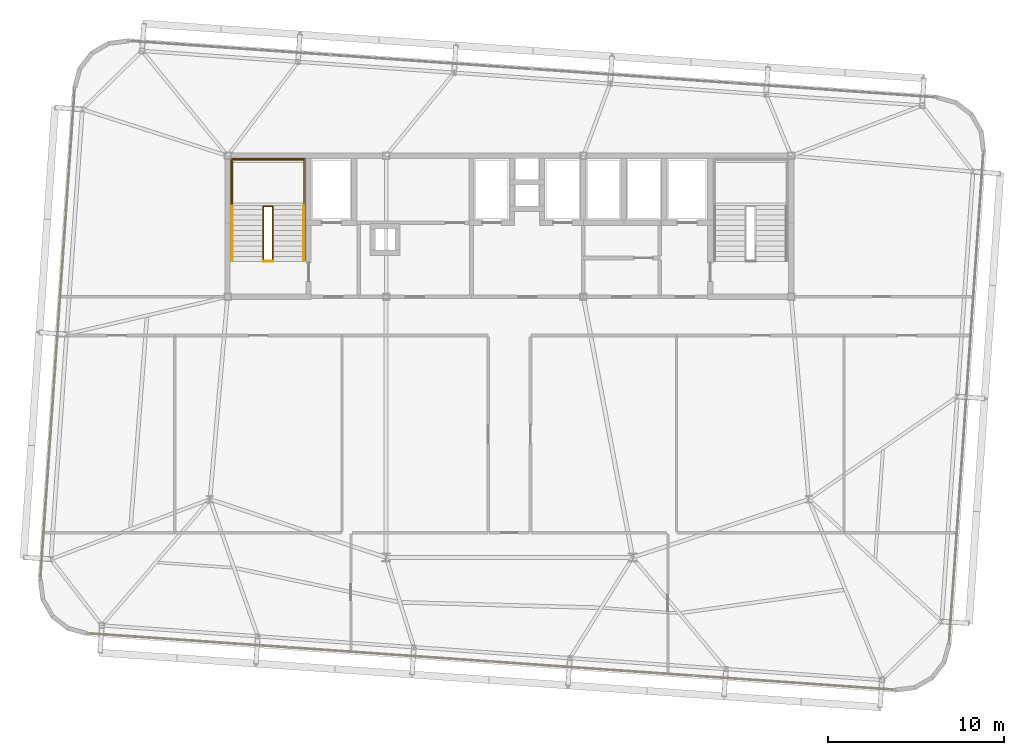
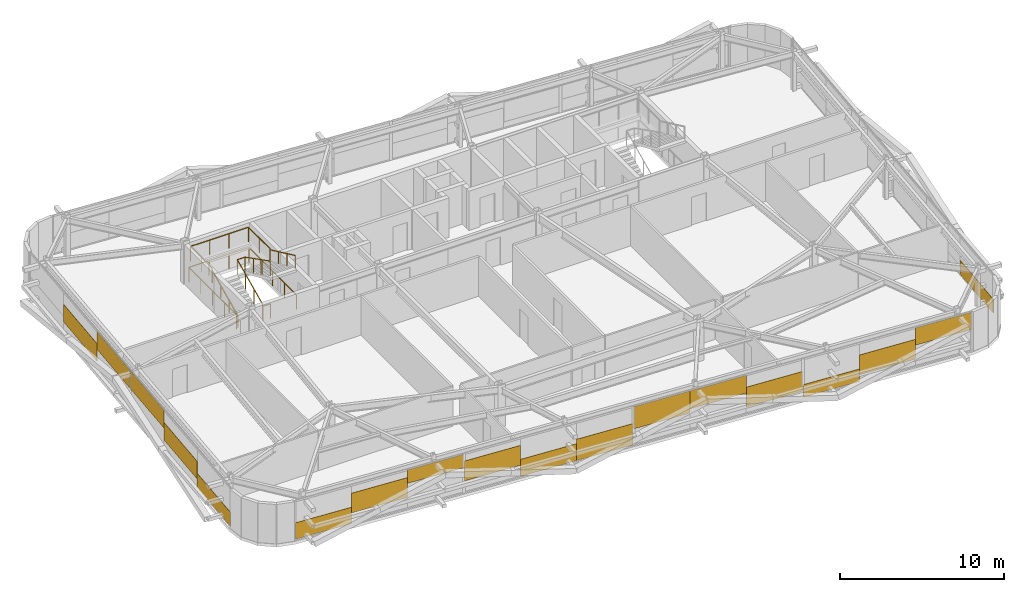
# One storey, part 38 of 39: 18 coverings, 6 railings.
"""IFC4 building model written with IfcOpenShell, lengths in metres."""

from ifc_helpers import new_model, si_unit, direction, frame, origin, origin_2d, place, context, subcontext, project, spatial, rectangle, extrude, source, transform, mapped, material, layer, layer_set, type_object, element, save


model = new_model("IFC4")

# Units and contexts
model_context = context("Model", 3, precision=1e-05, world=origin(), true_north=direction((0.0, 1.0)))
body_context = subcontext(model_context, "Body", "Model", "MODEL_VIEW")
ifc_project = project(units=[si_unit("LENGTHUNIT", "METRE"), si_unit("AREAUNIT", "SQUARE_METRE"), si_unit("VOLUMEUNIT", "CUBIC_METRE"), si_unit("PLANEANGLEUNIT", "RADIAN"), si_unit("MASSUNIT", "GRAM", prefix="KILO")], contexts=[model_context])

# Site, building, storey
site_placement = place(None, origin())
site = spatial("IfcSite", under=ifc_project, at=site_placement, CompositionType="ELEMENT")
building_placement = place(site_placement, origin())
building = spatial("IfcBuilding", under=site, at=building_placement, Name="Taldren Reach Tower", CompositionType="ELEMENT")
storey_placement = place(building_placement, frame((0.0, 0.0, 126.699951171875)))
storey = spatial("IfcBuildingStorey", under=building, at=storey_placement, Name="L38", CompositionType="ELEMENT", Elevation=126.699951171875)

# Railings
ifc_material_1 = material(Name="Steel Gr 350 (C350L0)", Category="steel")
ifc_layer_1 = layer(ifc_material_1, 0.050048828125)
ifc_layer_set_1 = layer_set([ifc_layer_1], Name="Steel Gr 350 (C350L0)")
railing_type_1 = type_object("IfcRailingType", Name="RL-STAIR-GR", PredefinedType="GUARDRAIL", material=ifc_layer_set_1)
railing_1_placement = place(storey_placement, frame((19.260009765625, 29.135009765625, 1.574951171875)))
element("IfcRailing", 1, at=railing_1_placement, inside=storey, type_object=railing_type_1, Name="Stair half-landing perimeter guard ST1-L38", PredefinedType="GUARDRAIL", context=body_context, shape_type="SweptSolid", body=[
    extrude(rectangle(XDim=0.047852, YDim=0.047852, at=origin_2d()), frame((0.0, 0.0, 1.09619140625), z_axis=(0.0, 1.0, 0.0), x_axis=(-1.0, 0.0, 0.0)), (0.0, 0.0, 1.0), 2.64501953125),
    extrude(rectangle(XDim=0.047852, YDim=0.047852, at=origin_2d()), frame((0.0, 2.64501953125, 1.09619140625), z_axis=(1.0, 0.0, 0.0), x_axis=(0.0, 1.0, 0.0)), (0.0, 0.0, 1.0), 4.080078125),
    extrude(rectangle(XDim=0.047852, YDim=0.047852, at=origin_2d()), frame((4.080078125, 2.64501953125, 1.09619140625), z_axis=(0.0, -1.0, 0.0), x_axis=(1.0, 0.0, 0.0)), (0.0, 0.0, 1.0), 2.64501953125),
    extrude(rectangle(XDim=0.041992, YDim=0.041992, at=origin_2d()), origin(), (0.0, 0.0, 1.0), 1.072021484375),
    extrude(rectangle(XDim=0.041992, YDim=0.041992, at=origin_2d()), frame((0.0, 1.322509765625, 0.0)), (0.0, 0.0, 1.0), 1.072021484375),
    extrude(rectangle(XDim=0.041992, YDim=0.041992, at=origin_2d()), frame((0.0, 2.64501953125, 0.0)), (0.0, 0.0, 1.0), 1.072021484375),
    extrude(rectangle(XDim=0.041992, YDim=0.041992, at=origin_2d()), frame((1.360107421875, 2.64501953125, 0.0)), (0.0, 0.0, 1.0), 1.072021484375),
    extrude(rectangle(XDim=0.041992, YDim=0.041992, at=origin_2d()), frame((2.719970703125, 2.64501953125, 0.0)), (0.0, 0.0, 1.0), 1.072021484375),
    extrude(rectangle(XDim=0.041992, YDim=0.041992, at=origin_2d()), frame((4.080078125, 2.64501953125, 0.0)), (0.0, 0.0, 1.0), 1.072021484375),
    extrude(rectangle(XDim=0.041992, YDim=0.041992, at=origin_2d()), frame((4.080078125, 1.322509765625, 0.0)), (0.0, 0.0, 1.0), 1.072021484375),
    extrude(rectangle(XDim=0.041992, YDim=0.041992, at=origin_2d()), frame((4.080078125, 0.0, 0.0)), (0.0, 0.0, 1.0), 1.072021484375),
])
railing_2_placement = place(storey_placement, frame((21.030029296875, 26.050048828125, 0.13134765625)))
element("IfcRailing", 2, at=railing_2_placement, inside=storey, type_object=railing_type_1, Name="Stairwell inner guard ST1-L38", PredefinedType="GUARDRAIL", context=body_context, shape_type="SweptSolid", body=[
    extrude(rectangle(XDim=0.047852, YDim=0.047852, at=origin_2d()), frame((0.0, 0.0, 1.09619140625), z_axis=(0.0, 0.905737652094, 0.423838773095), x_axis=(-1.0, 0.0, 0.0)), (0.0, 0.0, 1.0), 3.406005859375),
    extrude(rectangle(XDim=0.047852, YDim=0.047852, at=origin_2d()), frame((0.0, 3.0849609375, 2.53955078125), z_axis=(1.0, 0.0, 0.0), x_axis=(0.0, 1.0, 0.0)), (0.0, 0.0, 1.0), 0.5400390625),
    extrude(rectangle(XDim=0.047852, YDim=0.047852, at=origin_2d()), frame((0.5400390625, 3.0849609375, 2.53955078125), z_axis=(0.0, -0.890617412389, 0.454753366946), x_axis=(1.0, 0.0, 0.0)), (0.0, 0.0, 1.0), 3.4638671875),
    extrude(rectangle(XDim=0.041992, YDim=0.041992, at=origin_2d()), origin(), (0.0, 0.0, 1.0), 1.072021484375),
    extrude(rectangle(XDim=0.041992, YDim=0.041992, at=origin_2d()), frame((0.0, 1.0283203125, 0.481201171875)), (0.0, 0.0, 1.0), 1.072021484375),
    extrude(rectangle(XDim=0.041992, YDim=0.041992, at=origin_2d()), frame((0.0, 2.056640625, 0.96240234375)), (0.0, 0.0, 1.0), 1.072021484375),
    extrude(rectangle(XDim=0.041992, YDim=0.041992, at=origin_2d()), frame((0.0, 3.0849609375, 1.443603515625)), (0.0, 0.0, 1.0), 1.072021484375),
    extrude(rectangle(XDim=0.041992, YDim=0.041992, at=origin_2d()), frame((0.5400390625, 3.0849609375, 1.443603515625)), (0.0, 0.0, 1.0), 1.072021484375),
    extrude(rectangle(XDim=0.041992, YDim=0.041992, at=origin_2d()), frame((0.5400390625, 2.056640625, 1.96875)), (0.0, 0.0, 1.0), 1.072021484375),
    extrude(rectangle(XDim=0.041992, YDim=0.041992, at=origin_2d()), frame((0.5400390625, 1.0283203125, 2.49365234375)), (0.0, 0.0, 1.0), 1.072021484375),
    extrude(rectangle(XDim=0.041992, YDim=0.041992, at=origin_2d()), frame((0.5400390625, 0.0, 3.018798828125)), (0.0, 0.0, 1.0), 1.072021484375),
])
railing_3_placement = place(storey_placement, frame((21.030029296875, 26.010009765625, 0.0)))
element("IfcRailing", 3, at=railing_3_placement, inside=storey, type_object=railing_type_1, Name="Stairwell landing slot guard ST1-L38", PredefinedType="GUARDRAIL", context=body_context, shape_type="SweptSolid", body=[
    extrude(rectangle(XDim=0.047852, YDim=0.047852, at=origin_2d()), frame((0.0, 0.0, 1.09619140625), z_axis=(1.0, 0.0, 0.0), x_axis=(0.0, 1.0, 0.0)), (0.0, 0.0, 1.0), 0.5400390625),
    extrude(rectangle(XDim=0.041992, YDim=0.041992, at=origin_2d()), origin(), (0.0, 0.0, 1.0), 1.072021484375),
    extrude(rectangle(XDim=0.041992, YDim=0.041992, at=origin_2d()), frame((0.5400390625, 0.0, 0.0)), (0.0, 0.0, 1.0), 1.072021484375),
])
railing_4_placement = place(storey_placement, frame((19.18994140625, 26.050048828125, 0.0)))
element("IfcRailing", 4, at=railing_4_placement, inside=storey, type_object=railing_type_1, Name="Stairwell floor opening guard ST1-L38", PredefinedType="GUARDRAIL", context=body_context, shape_type="SweptSolid", body=[
    extrude(rectangle(XDim=0.047852, YDim=0.047852, at=origin_2d()), frame((0.0, 0.0, 1.09619140625), z_axis=(0.0, 1.0, 0.0), x_axis=(-1.0, 0.0, 0.0)), (0.0, 0.0, 1.0), 5.800048828125),
    extrude(rectangle(XDim=0.047852, YDim=0.047852, at=origin_2d()), frame((0.0, 5.800048828125, 1.09619140625), z_axis=(1.0, 0.0, 0.0), x_axis=(0.0, 1.0, 0.0)), (0.0, 0.0, 1.0), 4.219970703125),
    extrude(rectangle(XDim=0.047852, YDim=0.047852, at=origin_2d()), frame((4.219970703125, 5.800048828125, 1.09619140625), z_axis=(0.0, -1.0, 0.0), x_axis=(1.0, 0.0, 0.0)), (0.0, 0.0, 1.0), 5.800048828125),
    extrude(rectangle(XDim=0.041992, YDim=0.041992, at=origin_2d()), origin(), (0.0, 0.0, 1.0), 1.072021484375),
    extrude(rectangle(XDim=0.041992, YDim=0.041992, at=origin_2d()), frame((0.0, 1.449951171875, 0.0)), (0.0, 0.0, 1.0), 1.072021484375),
    extrude(rectangle(XDim=0.041992, YDim=0.041992, at=origin_2d()), frame((0.0, 2.89990234375, 0.0)), (0.0, 0.0, 1.0), 1.072021484375),
    extrude(rectangle(XDim=0.041992, YDim=0.041992, at=origin_2d()), frame((0.0, 4.35009765625, 0.0)), (0.0, 0.0, 1.0), 1.072021484375),
    extrude(rectangle(XDim=0.041992, YDim=0.041992, at=origin_2d()), frame((0.0, 5.800048828125, 0.0)), (0.0, 0.0, 1.0), 1.072021484375),
    extrude(rectangle(XDim=0.041992, YDim=0.041992, at=origin_2d()), frame((1.40673828125, 5.800048828125, 0.0)), (0.0, 0.0, 1.0), 1.072021484375),
    extrude(rectangle(XDim=0.041992, YDim=0.041992, at=origin_2d()), frame((2.813232421875, 5.800048828125, 0.0)), (0.0, 0.0, 1.0), 1.072021484375),
    extrude(rectangle(XDim=0.041992, YDim=0.041992, at=origin_2d()), frame((4.219970703125, 5.800048828125, 0.0)), (0.0, 0.0, 1.0), 1.072021484375),
    extrude(rectangle(XDim=0.041992, YDim=0.041992, at=origin_2d()), frame((4.219970703125, 4.35009765625, 0.0)), (0.0, 0.0, 1.0), 1.072021484375),
    extrude(rectangle(XDim=0.041992, YDim=0.041992, at=origin_2d()), frame((4.219970703125, 2.89990234375, 0.0)), (0.0, 0.0, 1.0), 1.072021484375),
    extrude(rectangle(XDim=0.041992, YDim=0.041992, at=origin_2d()), frame((4.219970703125, 1.449951171875, 0.0)), (0.0, 0.0, 1.0), 1.072021484375),
    extrude(rectangle(XDim=0.041992, YDim=0.041992, at=origin_2d()), frame((4.219970703125, 0.0, 0.0)), (0.0, 0.0, 1.0), 1.072021484375),
])
ifc_material_2 = material(Name="Stainless Steel Gr 316", Category="steel")
ifc_layer_2 = layer(ifc_material_2, 0.048095703125)
ifc_layer_set_2 = layer_set([ifc_layer_2], Name="Stainless Steel Gr 316")
railing_type_2 = type_object("IfcRailingType", Name="RL-STAIR-HR", PredefinedType="HANDRAIL", material=ifc_layer_set_2)
railing_5_placement = place(storey_placement, frame((19.27001953125, 26.050048828125, 0.13134765625)))
element("IfcRailing", 5, at=railing_5_placement, inside=storey, type_object=railing_type_2, Name="Stair flight handrail ST1-L38-1", PredefinedType="HANDRAIL", context=body_context, shape_type="SweptSolid", body=[
    extrude(rectangle(XDim=0.047852, YDim=0.047852, at=origin_2d()), frame((0.0, 0.0, 0.89599609375), z_axis=(0.0, 0.905737652094, 0.423838773095), x_axis=(-1.0, 0.0, 0.0)), (0.0, 0.0, 1.0), 3.406005859375),
    extrude(rectangle(XDim=0.041992, YDim=0.041992, at=origin_2d()), origin(), (0.0, 0.0, 1.0), 0.871826171875),
    extrude(rectangle(XDim=0.041992, YDim=0.041992, at=origin_2d()), frame((0.0, 1.0283203125, 0.481201171875)), (0.0, 0.0, 1.0), 0.871826171875),
    extrude(rectangle(XDim=0.041992, YDim=0.041992, at=origin_2d()), frame((0.0, 2.056640625, 0.96240234375)), (0.0, 0.0, 1.0), 0.871826171875),
    extrude(rectangle(XDim=0.041992, YDim=0.041992, at=origin_2d()), frame((0.0, 3.0849609375, 1.443603515625)), (0.0, 0.0, 1.0), 0.871826171875),
])
railing_6_placement = place(storey_placement, frame((23.330078125, 29.135009765625, 1.706298828125)))
element("IfcRailing", 6, at=railing_6_placement, inside=storey, type_object=railing_type_2, Name="Stair flight handrail ST1-L38-2", PredefinedType="HANDRAIL", context=body_context, shape_type="SweptSolid", body=[
    extrude(rectangle(XDim=0.047852, YDim=0.047852, at=origin_2d()), frame((0.0, 0.0, 0.89599609375), z_axis=(0.0, -0.905710134349, 0.423897573167), x_axis=(1.0, 0.0, 0.0)), (0.0, 0.0, 1.0), 3.406005859375),
    extrude(rectangle(XDim=0.041992, YDim=0.041992, at=origin_2d()), origin(), (0.0, 0.0, 1.0), 0.871826171875),
    extrude(rectangle(XDim=0.041992, YDim=0.041992, at=origin_2d()), frame((0.0, -1.0283203125, 0.481201171875)), (0.0, 0.0, 1.0), 0.871826171875),
    extrude(rectangle(XDim=0.041992, YDim=0.041992, at=origin_2d()), frame((0.0, -2.056640625, 0.962646484375)), (0.0, 0.0, 1.0), 0.871826171875),
    extrude(rectangle(XDim=0.041992, YDim=0.041992, at=origin_2d()), frame((0.0, -3.0849609375, 1.44384765625)), (0.0, 0.0, 1.0), 0.871826171875),
])

# Coverings
ifc_material_3 = material(Name="Pale Champagne Fluoropolymer Aluminium Spandrel Cladding", Category="aluminium")
ifc_layer_3 = layer(ifc_material_3, 0.0439453125)
ifc_layer_set_3 = layer_set([ifc_layer_3], Name="Pale Champagne Fluoropolymer Aluminium Spandrel Cladding")
covering_type = type_object("IfcCoveringType", Name="CV-CLAD-044", PredefinedType="CLADDING", material=ifc_layer_set_3)
shared_shape_1 = source(origin(), body_context, "Body", "SweptSolid", [
    extrude(rectangle(XDim=3.79833984375, YDim=0.0439453125, at=origin_2d()), origin(), (0.0, 0.0, 1.0), 1.22216796875),
])
covering_1_placement = place(storey_placement, frame((12.994384765625, 4.748046875, 0.05517578125), z_axis=(0.0, 0.0, 1.0), x_axis=(0.99756404731, -0.06975651593, 0.0)))
element("IfcCovering", 7, at=covering_1_placement, inside=storey, type_object=covering_type, Name="Diagrid closure cladding strip CW-4 panel 1.1 1", PredefinedType="CLADDING", context=body_context, shape_type="MappedRepresentation", body=[
    mapped(shared_shape_1, transform((0.0, 0.0, 0.0), scale=1.0)),
])
shared_shape_2 = source(origin(), body_context, "Body", "SweptSolid", [
    extrude(rectangle(XDim=3.79833984375, YDim=0.0439453125, at=origin_2d()), origin(), (0.0, 0.0, 1.0), 1.474365234375),
])
for number, where, z_axis, x_axis, name in (
    (8, (16.783447265625, 4.483154296875, 0.84228515625), (0.0, 0.0, 1.0), (0.99756404731, -0.06975651593, 0.0), "Diagrid closure cladding strip CW-4 panel 1.1 2"),
    (9, (51.16455078125, 2.0791015625, 0.5537109375), (0.0, 0.0, 1.0), (0.99756404731, -0.06975651593, 0.0), "Diagrid closure cladding strip CW-4 panel 4.1 2"),
):
    element("IfcCovering", number, at=place(storey_placement, frame(where, z_axis=z_axis, x_axis=x_axis)), inside=storey, type_object=covering_type, Name=name, PredefinedType="CLADDING", context=body_context, shape_type="MappedRepresentation", body=[
        mapped(shared_shape_2, transform((0.0, 0.0, 0.0), scale=1.0)),
    ])
shared_shape_3 = source(origin(), body_context, "Body", "SweptSolid", [
    extrude(rectangle(XDim=3.79833984375, YDim=0.0439453125, at=origin_2d()), origin(), (0.0, 0.0, 1.0), 0.993408203125),
])
covering_2_placement = place(storey_placement, frame((20.572509765625, 4.21826171875, 1.8818359375), z_axis=(0.0, 0.0, 1.0), x_axis=(0.99756404731, -0.06975651593, 0.0)))
element("IfcCovering", 10, at=covering_2_placement, inside=storey, type_object=covering_type, Name="Diagrid closure cladding strip CW-4 panel 1.1 3", PredefinedType="CLADDING", context=body_context, shape_type="MappedRepresentation", body=[
    mapped(shared_shape_3, transform((0.0, 0.0, 0.0), scale=1.0)),
])
shared_shape_4 = source(origin(), body_context, "Body", "SweptSolid", [
    extrude(rectangle(XDim=3.81005859375, YDim=0.0439453125, at=origin_2d()), origin(), (0.0, 0.0, 1.0), 1.477783203125),
])
for number, where, z_axis, x_axis, name in (
    (11, (24.437255859375, 3.947998046875, 0.88232421875), (0.0, 0.0, 1.0), (0.99756404731, -0.06975651593, 0.0), "Diagrid closure cladding strip CW-4 panel 2.1 1"),
    (12, (43.510498046875, 2.6142578125, 0.51025390625), (0.0, 0.0, 1.0), (0.99756404731, -0.06975651593, 0.0), "Diagrid closure cladding strip CW-4 panel 3.1 3"),
):
    element("IfcCovering", number, at=place(storey_placement, frame(where, z_axis=z_axis, x_axis=x_axis)), inside=storey, type_object=covering_type, Name=name, PredefinedType="CLADDING", context=body_context, shape_type="MappedRepresentation", body=[
        mapped(shared_shape_4, transform((0.0, 0.0, 0.0), scale=1.0)),
    ])
shared_shape_5 = source(origin(), body_context, "Body", "SweptSolid", [
    extrude(rectangle(XDim=3.81005859375, YDim=0.0439453125, at=origin_2d()), origin(), (0.0, 0.0, 1.0), 1.26220703125),
])
covering_3_placement = place(storey_placement, frame((28.23779296875, 3.68212890625, 0.05517578125), z_axis=(0.0, 0.0, 1.0), x_axis=(0.99756404731, -0.06975651593, 0.0)))
element("IfcCovering", 13, at=covering_3_placement, inside=storey, type_object=covering_type, Name="Diagrid closure cladding strip CW-4 panel 2.1 2", PredefinedType="CLADDING", context=body_context, shape_type="MappedRepresentation", body=[
    mapped(shared_shape_5, transform((0.0, 0.0, 0.0), scale=1.0)),
])
shared_shape_6 = source(origin(), body_context, "Body", "SweptSolid", [
    extrude(rectangle(XDim=3.81005859375, YDim=0.0439453125, at=origin_2d()), origin(), (0.0, 0.0, 1.0), 1.587890625),
])
covering_4_placement = place(storey_placement, frame((32.03857421875, 3.41650390625, 0.05517578125), z_axis=(0.0, 0.0, 1.0), x_axis=(0.99756404731, -0.06975651593, 0.0)))
element("IfcCovering", 14, at=covering_4_placement, inside=storey, type_object=covering_type, Name="Diagrid closure cladding strip CW-4 panel 2.1 3", PredefinedType="CLADDING", context=body_context, shape_type="MappedRepresentation", body=[
    mapped(shared_shape_6, transform((0.0, 0.0, 0.0), scale=1.0)),
])
shared_shape_7 = source(origin(), body_context, "Body", "SweptSolid", [
    extrude(rectangle(XDim=3.81005859375, YDim=0.0439453125, at=origin_2d()), origin(), (0.0, 0.0, 1.0), 1.64794921875),
])
covering_5_placement = place(storey_placement, frame((35.9091796875, 3.145751953125, 1.22705078125), z_axis=(0.0, 0.0, 1.0), x_axis=(0.99756404731, -0.06975651593, 0.0)))
element("IfcCovering", 15, at=covering_5_placement, inside=storey, type_object=covering_type, Name="Diagrid closure cladding strip CW-4 panel 3.1 1", PredefinedType="CLADDING", context=body_context, shape_type="MappedRepresentation", body=[
    mapped(shared_shape_7, transform((0.0, 0.0, 0.0), scale=1.0)),
])
shared_shape_8 = source(origin(), body_context, "Body", "SweptSolid", [
    extrude(rectangle(XDim=3.81005859375, YDim=0.0439453125, at=origin_2d()), origin(), (0.0, 0.0, 1.0), 1.322265625),
])
covering_6_placement = place(storey_placement, frame((39.7099609375, 2.8798828125, 1.552734375), z_axis=(0.0, 0.0, 1.0), x_axis=(0.99756404731, -0.06975651593, 0.0)))
element("IfcCovering", 16, at=covering_6_placement, inside=storey, type_object=covering_type, Name="Diagrid closure cladding strip CW-4 panel 3.1 2", PredefinedType="CLADDING", context=body_context, shape_type="MappedRepresentation", body=[
    mapped(shared_shape_8, transform((0.0, 0.0, 0.0), scale=1.0)),
])
shared_shape_9 = source(origin(), body_context, "Body", "SweptSolid", [
    extrude(rectangle(XDim=3.79833984375, YDim=0.0439453125, at=origin_2d()), origin(), (0.0, 0.0, 1.0), 0.93359375),
])
covering_7_placement = place(storey_placement, frame((47.375244140625, 2.343994140625, 0.054931640625), z_axis=(0.0, 0.0, 1.0), x_axis=(0.99756404731, -0.06975651593, 0.0)))
element("IfcCovering", 17, at=covering_7_placement, inside=storey, type_object=covering_type, Name="Diagrid closure cladding strip CW-4 panel 4.1 1", PredefinedType="CLADDING", context=body_context, shape_type="MappedRepresentation", body=[
    mapped(shared_shape_9, transform((0.0, 0.0, 0.0), scale=1.0)),
])
shared_shape_10 = source(origin(), body_context, "Body", "SweptSolid", [
    extrude(rectangle(XDim=3.79833984375, YDim=0.0439453125, at=origin_2d()), origin(), (0.0, 0.0, 1.0), 1.2822265625),
])
covering_8_placement = place(storey_placement, frame((54.95361328125, 1.81396484375, 1.5927734375), z_axis=(0.0, 0.0, 1.0), x_axis=(0.99756404731, -0.06975651593, 0.0)))
element("IfcCovering", 18, at=covering_8_placement, inside=storey, type_object=covering_type, Name="Diagrid closure cladding strip CW-4 panel 4.1 3", PredefinedType="CLADDING", context=body_context, shape_type="MappedRepresentation", body=[
    mapped(shared_shape_10, transform((0.0, 0.0, 0.0), scale=1.0)),
])
shared_shape_11 = source(origin(), body_context, "Body", "SweptSolid", [
    extrude(rectangle(XDim=4.631591796875, YDim=0.0439453125, at=origin_2d()), origin(), (0.0, 0.0, 1.0), 1.04345703125),
])
for number, where, z_axis, x_axis, name in (
    (19, (8.542724609375, 10.318115234375, 0.054931640625), (0.0, 0.0, 1.0), (-0.069756437251, -0.997564052812, 0.0), "Diagrid closure cladding strip CW-4 panel 2.1 3"),
    (20, (60.136962890625, 6.710205078125, 0.054931640625), (0.0, 0.0, 1.0), (0.069756437251, 0.997564052812, 0.0), "Diagrid closure cladding strip CW-4 panel 1.1 1"),
):
    element("IfcCovering", number, at=place(storey_placement, frame(where, z_axis=z_axis, x_axis=x_axis)), inside=storey, type_object=covering_type, Name=name, PredefinedType="CLADDING", context=body_context, shape_type="MappedRepresentation", body=[
        mapped(shared_shape_11, transform((0.0, 0.0, 0.0), scale=1.0)),
    ])
shared_shape_12 = source(origin(), body_context, "Body", "SweptSolid", [
    extrude(rectangle(XDim=4.631591796875, YDim=0.0439453125, at=origin_2d()), origin(), (0.0, 0.0, 1.0), 1.306640625),
])
for number, where, z_axis, x_axis, name in (
    (21, (9.840087890625, 28.869384765625, 0.671142578125), (0.0, 0.0, 1.0), (-0.069756437251, -0.997564052812, 0.0), "Diagrid closure cladding strip CW-4 panel 1.1 2"),
    (22, (8.865966796875, 14.9384765625, 0.671142578125), (0.0, 0.0, 1.0), (-0.069756437251, -0.997564052812, 0.0), "Diagrid closure cladding strip CW-4 panel 2.1 2"),
):
    element("IfcCovering", number, at=place(storey_placement, frame(where, z_axis=z_axis, x_axis=x_axis)), inside=storey, type_object=covering_type, Name=name, PredefinedType="CLADDING", context=body_context, shape_type="MappedRepresentation", body=[
        mapped(shared_shape_12, transform((0.0, 0.0, 0.0), scale=1.0)),
    ])
shared_shape_13 = source(origin(), body_context, "Body", "SweptSolid", [
    extrude(rectangle(XDim=4.631591796875, YDim=0.0439453125, at=origin_2d()), origin(), (0.0, 0.0, 1.0), 1.32470703125),
])
for number, where, z_axis, x_axis, name in (
    (23, (9.51708984375, 24.2490234375, 1.55029296875), (0.0, 0.0, 1.0), (-0.069756437251, -0.997564052812, 0.0), "Diagrid closure cladding strip CW-4 panel 1.1 3"),
    (24, (9.18896484375, 19.558837890625, 1.55029296875), (0.0, 0.0, 1.0), (-0.069756437251, -0.997564052812, 0.0), "Diagrid closure cladding strip CW-4 panel 2.1 1"),
):
    element("IfcCovering", number, at=place(storey_placement, frame(where, z_axis=z_axis, x_axis=x_axis)), inside=storey, type_object=covering_type, Name=name, PredefinedType="CLADDING", context=body_context, shape_type="MappedRepresentation", body=[
        mapped(shared_shape_13, transform((0.0, 0.0, 0.0), scale=1.0)),
    ])

save(model, "model.ifc")
